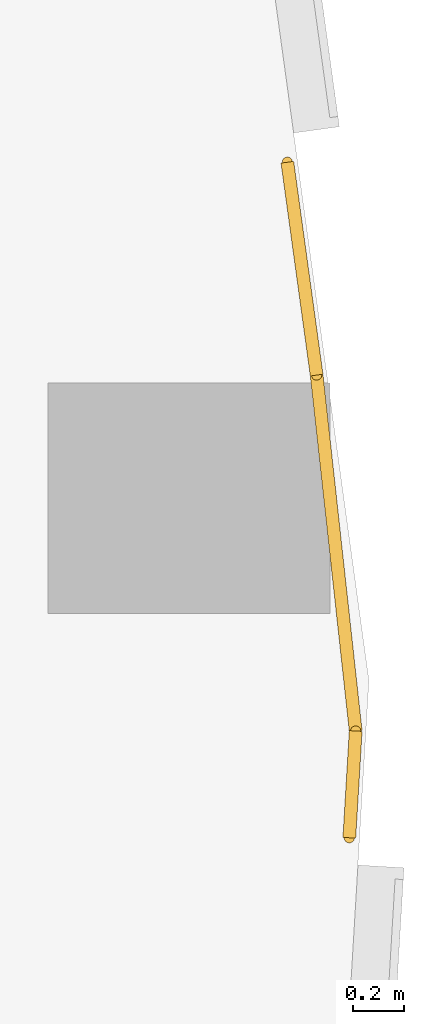
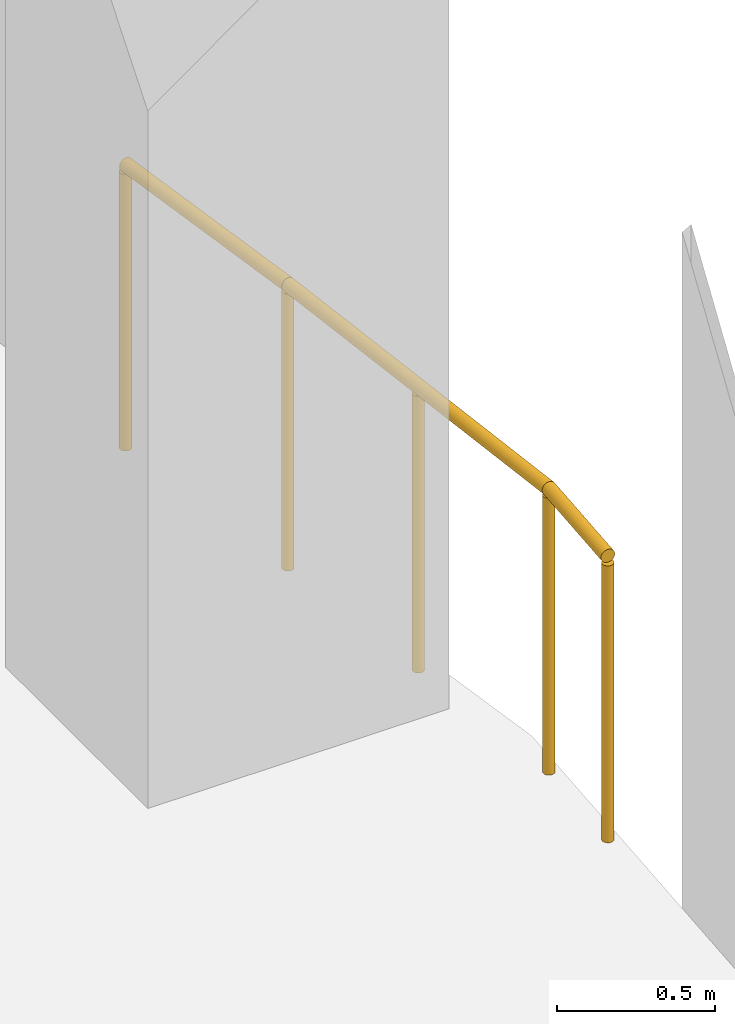
# One storey, part 28 of 29: 3 railings.
"""IFC4 building model written with IfcOpenShell, lengths in metres."""

from ifc_helpers import new_model, si_unit, direction, frame, origin, origin_2d, place, context, subcontext, project, spatial, circle, extrude, material, type_object, element, save


model = new_model("IFC4")

# Units and contexts
model_context = context("Model", 3, precision=1e-05, world=origin(), true_north=direction((0.0, 1.0)))
body_context = subcontext(model_context, "Body", "Model", "MODEL_VIEW")
ifc_project = project(units=[si_unit("LENGTHUNIT", "METRE"), si_unit("AREAUNIT", "SQUARE_METRE"), si_unit("VOLUMEUNIT", "CUBIC_METRE"), si_unit("PLANEANGLEUNIT", "RADIAN"), si_unit("MASSUNIT", "GRAM", prefix="KILO")], contexts=[model_context])

# Site, building, storey
site_placement = place(None, origin())
site = spatial("IfcSite", under=ifc_project, at=site_placement, CompositionType="ELEMENT")
building_placement = place(site_placement, origin())
building = spatial("IfcBuilding", under=site, at=building_placement, Name="Orlundy Tower", CompositionType="ELEMENT")
storey_placement = place(building_placement, frame((0.0, 0.0, 188.60009765625)))
storey = spatial("IfcBuildingStorey", under=building, at=storey_placement, Name="L49", CompositionType="ELEMENT", Elevation=188.60009765625)

# Railings
ifc_material = material(Name="Stainless steel bronze finish", Category="steel")
railing_type = type_object("IfcRailingType", Name="TG1 terrace guard", PredefinedType="GUARDRAIL", material=ifc_material)
railing_1_placement = place(storey_placement, frame((41.348876953125, -3.69091796875, 0.0)))
element("IfcRailing", 1, at=railing_1_placement, inside=storey, type_object=railing_type, Name="Guard TG-L49-E022", PredefinedType="GUARDRAIL", context=body_context, shape_type="SweptSolid", body=[
    extrude(circle(Radius=0.02490234375, at=origin_2d()), frame((0.0, 0.0, 1.09521484375), z_axis=(0.109069334642, -0.994034144404, 0.0), x_axis=(0.994034144404, 0.109069334642, 0.0)), (0.0, 0.0, 1.0), 1.396728515625),
    extrude(circle(Radius=0.02001953125, at=origin_2d()), origin(), (0.0, 0.0, 1.0), 1.070068359375),
    extrude(circle(Radius=0.02001953125, at=origin_2d()), frame((0.076171875, -0.6943359375, 0.0)), (0.0, 0.0, 1.0), 1.070068359375),
    extrude(circle(Radius=0.02001953125, at=origin_2d()), frame((0.15234375, -1.388427734375, 0.0)), (0.0, 0.0, 1.0), 1.070068359375),
])
railing_2_placement = place(storey_placement, frame((41.234619140625, -2.860595703125, 0.0)))
element("IfcRailing", 2, at=railing_2_placement, inside=storey, type_object=railing_type, Name="Guard TG-L49-E024", PredefinedType="GUARDRAIL", context=body_context, shape_type="SweptSolid", body=[
    extrude(circle(Radius=0.02490234375, at=origin_2d()), frame((0.0, 0.0, 1.09521484375), z_axis=(0.136321971712, -0.990664585028, 0.0), x_axis=(0.990664585028, 0.136321971712, 0.0)), (0.0, 0.0, 1.0), 0.838134765625),
    extrude(circle(Radius=0.02001953125, at=origin_2d()), origin(), (0.0, 0.0, 1.0), 1.070068359375),
    extrude(circle(Radius=0.02001953125, at=origin_2d()), frame((0.1142578125, -0.830322265625, 0.0)), (0.0, 0.0, 1.0), 1.070068359375),
])
railing_3_placement = place(storey_placement, frame((41.501220703125, -5.079345703125, 0.0)))
element("IfcRailing", 3, at=railing_3_placement, inside=storey, type_object=railing_type, Name="Guard TG-L49-E025", PredefinedType="GUARDRAIL", context=body_context, shape_type="SweptSolid", body=[
    extrude(circle(Radius=0.02490234375, at=origin_2d()), frame((0.0, 0.0, 1.09521484375), z_axis=(-0.059682401232, -0.99821741669, 0.0), x_axis=(0.99821741669, -0.059682401232, 0.0)), (0.0, 0.0, 1.0), 0.417236328125),
    extrude(circle(Radius=0.02001953125, at=origin_2d()), origin(), (0.0, 0.0, 1.0), 1.070068359375),
    extrude(circle(Radius=0.02001953125, at=origin_2d()), frame((-0.02490234375, -0.41650390625, 0.0)), (0.0, 0.0, 1.0), 1.070068359375),
])

save(model, "model.ifc")
